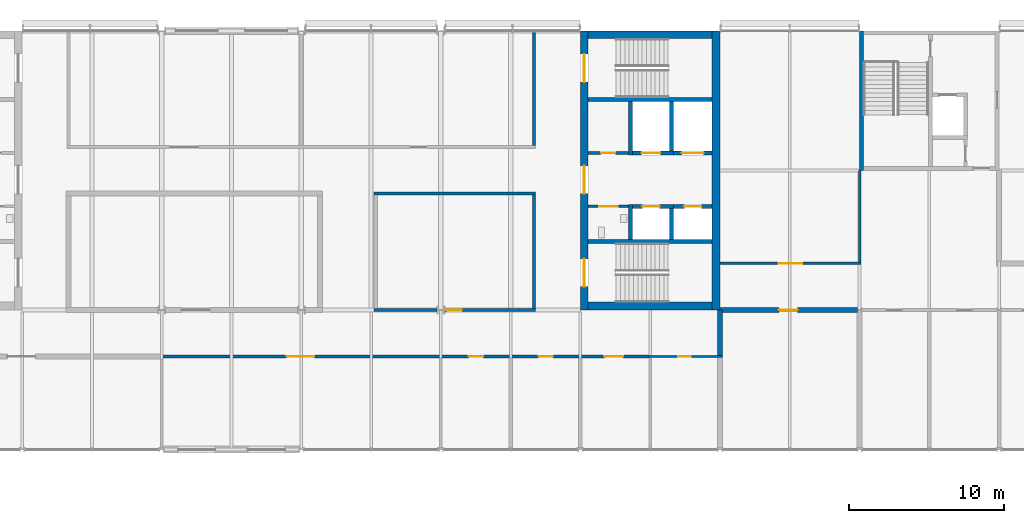
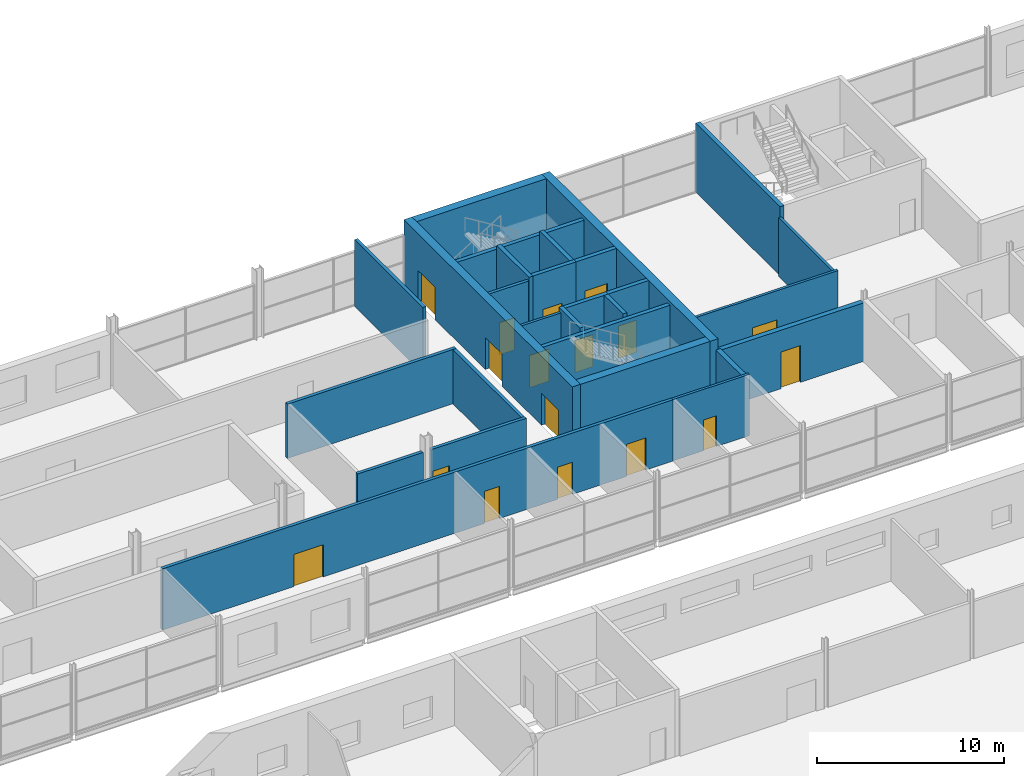
# One storey, part 120 of 138: 28 walls, 17 doors, 17 openings.
"""IFC4 building model written with IfcOpenShell, lengths in metres."""

from ifc_helpers import new_model, si_unit, direction, frame, frame_2d, origin, place, context, subcontext, project, spatial, rectangle, extrude, material, layer, layer_set, type_object, element, fill, save


model = new_model("IFC4")

# Units and contexts
model_context = context("Model", 3, precision=1e-05, world=origin(), true_north=direction((0.0, 1.0)))
body_context = subcontext(model_context, "Body", "Model", "MODEL_VIEW")
ifc_project = project(units=[si_unit("LENGTHUNIT", "METRE"), si_unit("AREAUNIT", "SQUARE_METRE"), si_unit("VOLUMEUNIT", "CUBIC_METRE"), si_unit("PLANEANGLEUNIT", "RADIAN"), si_unit("MASSUNIT", "GRAM", prefix="KILO")], contexts=[model_context])

# Site, building, storey
site_placement = place(None, origin())
site = spatial("IfcSite", under=ifc_project, at=site_placement, CompositionType="ELEMENT")
building_placement = place(site_placement, origin())
building = spatial("IfcBuilding", under=site, at=building_placement, Name="Corbel Yard City Hall", CompositionType="ELEMENT")
storey_placement = place(building_placement, frame((0.0, 0.0, 10.5)))
storey = spatial("IfcBuildingStorey", under=building, at=storey_placement, Name="L02", CompositionType="ELEMENT", Elevation=10.5)

# Walls
ifc_material_1 = material(Name="Concrete N50 (50 MPa)", Category="concrete")
ifc_layer_1 = layer(ifc_material_1, 0.25)
ifc_layer_set_1 = layer_set([ifc_layer_1], Name="Concrete N50 (50 MPa)")
wall_type_1 = type_object("IfcWallType", Name="Core cell wall 250", PredefinedType="SHEAR", material=ifc_layer_set_1)
wall_1_placement = place(storey_placement, frame((63.125, 108.0, 0.0), z_axis=(0.0, 0.0, 1.0), x_axis=(0.0, 1.0, 0.0)))
element("IfcWall", 1, at=wall_1_placement, inside=storey, type_object=wall_type_1, Name="Core PC-N1 west wall", PredefinedType="SHEAR", context=body_context, shape_type="SweptSolid", body=[
    extrude(rectangle(XDim=9.0, YDim=0.25, at=frame_2d((4.5, 0.0))), origin(), (0.0, 0.0, 1.0), 4.5),
])
ifc_material_2 = material(Name="Concrete N40 (40 MPa)", Category="concrete")
ifc_layer_2 = layer(ifc_material_2, 0.25)
ifc_layer_set_2 = layer_set([ifc_layer_2], Name="Concrete N40 (40 MPa)")
wall_type_2 = type_object("IfcWallType", Name="IW2", PredefinedType="SOLIDWALL", material=ifc_layer_set_2)
for number, where, z_axis, x_axis, name in (
    (2, (45.5, 103.425048828125, 0.0), (0.0, 0.0, 1.0), (1.0, 0.0, 0.0), "Stair enclosure wall"),
    (3, (45.5, 112.574951171875, 0.0), (0.0, 0.0, 1.0), (1.0, 0.0, 0.0), "Stair enclosure wall"),
):
    element("IfcWall", number, at=place(storey_placement, frame(where, z_axis=z_axis, x_axis=x_axis)), inside=storey, type_object=wall_type_2, Name=name, PredefinedType="SOLIDWALL", context=body_context, shape_type="SweptSolid", body=[
        extrude(rectangle(XDim=8.0, YDim=0.25, at=frame_2d((4.0, 0.0))), origin(), (0.0, 0.0, 1.0), 4.25),
    ])
wall_2_placement = place(storey_placement, frame((48.22509765625, 103.550048828125, 0.0), z_axis=(0.0, 0.0, 1.0), x_axis=(0.0, 1.0, 0.0)))
element("IfcWall", 4, at=wall_2_placement, inside=storey, type_object=wall_type_2, Name="Lift LP25 shaft wall", PredefinedType="SOLIDWALL", context=body_context, shape_type="SweptSolid", body=[
    extrude(rectangle(XDim=2.25, YDim=0.25, at=frame_2d((1.125, 0.0))), origin(), (0.0, 0.0, 1.0), 4.5),
])
wall_3_placement = place(storey_placement, frame((50.875, 103.550048828125, 0.0), z_axis=(0.0, 0.0, 1.0), x_axis=(0.0, 1.0, 0.0)))
element("IfcWall", 5, at=wall_3_placement, inside=storey, type_object=wall_type_2, Name="Lift LP25 shaft wall", PredefinedType="SOLIDWALL", context=body_context, shape_type="SweptSolid", body=[
    extrude(rectangle(XDim=2.0, YDim=0.25, at=frame_2d((1.0, 0.0))), origin(), (0.0, 0.0, 1.0), 4.5),
])

# Wall, opening, door
wall_4_placement = place(storey_placement, frame((48.35009765625, 105.675048828125, 0.0), z_axis=(0.0, 0.0, 1.0), x_axis=(1.0, 0.0, 0.0)))
wall_4 = element("IfcWall", 6, at=wall_4_placement, inside=storey, type_object=wall_type_2, Name="Lift LP25 shaft wall", PredefinedType="SOLIDWALL", context=body_context, shape_type="SweptSolid", body=[
    extrude(rectangle(XDim=2.64990234375, YDim=0.25, at=frame_2d((1.324951171875, 0.0))), origin(), (0.0, 0.0, 1.0), 4.5),
])
opening_1_placement = place(wall_4_placement, frame((0.64990234375, 0.0, 0.0)))
opening_1 = element("IfcOpeningElement", 7, at=opening_1_placement, cuts=wall_4, Name="Opening L02-186", PredefinedType="OPENING", context=body_context, shape_type="SweptSolid", body=[
    extrude(rectangle(XDim=1.10009765625, YDim=2.10009765625, at=frame_2d((0.550048828125, 1.050048828125))), frame((0.0, 0.135009765625, 0.0), z_axis=(0.0, -1.0, 0.0), x_axis=(1.0, 0.0, 0.0)), (0.0, 0.0, 1.0), 0.27001953125),
])
ifc_material_3 = material(Name="Stainless steel Grade 316", Category="steel")
door_type_1 = type_object("IfcDoorType", Name="LD1", OperationType="DOUBLE_DOOR_SLIDING", PredefinedType="DOOR", material=ifc_material_3)
door_1_placement = place(opening_1_placement, origin())
door_1 = element("IfcDoor", 8, at=door_1_placement, inside=storey, type_object=door_type_1, Name="Lift LP25 landing door", OperationType="DOUBLE_DOOR_SLIDING", OverallHeight=2.10009765625, OverallWidth=1.10009765625, PredefinedType="DOOR", context=body_context, shape_type="SweptSolid", body=[
    extrude(rectangle(XDim=1.10009765625, YDim=2.10009765625, at=frame_2d((0.550048828125, 1.050048828125))), frame((0.0, 0.02490234375, 0.0), z_axis=(0.0, -1.0, 0.0), x_axis=(1.0, 0.0, 0.0)), (0.0, 0.0, 1.0), 0.050048828125),
])
fill(opening_1, door_1)

wall_5_placement = place(storey_placement, frame((51.0, 105.675048828125, 0.0), z_axis=(0.0, 0.0, 1.0), x_axis=(1.0, 0.0, 0.0)))
wall_5 = element("IfcWall", 9, at=wall_5_placement, inside=storey, type_object=wall_type_2, Name="Lift LP26 shaft wall", PredefinedType="SOLIDWALL", context=body_context, shape_type="SweptSolid", body=[
    extrude(rectangle(XDim=2.5, YDim=0.25, at=frame_2d((1.25, 0.0))), origin(), (0.0, 0.0, 1.0), 4.5),
])
opening_2_placement = place(wall_5_placement, frame((0.699951171875, 0.0, 0.0)))
opening_2 = element("IfcOpeningElement", 10, at=opening_2_placement, cuts=wall_5, Name="Opening L02-187", PredefinedType="OPENING", context=body_context, shape_type="SweptSolid", body=[
    extrude(rectangle(XDim=1.10009765625, YDim=2.10009765625, at=frame_2d((0.550048828125, 1.050048828125))), frame((0.0, 0.135009765625, 0.0), z_axis=(0.0, -1.0, 0.0), x_axis=(1.0, 0.0, 0.0)), (0.0, 0.0, 1.0), 0.27001953125),
])
door_2_placement = place(opening_2_placement, origin())
door_2 = element("IfcDoor", 11, at=door_2_placement, inside=storey, type_object=door_type_1, Name="Lift LP26 landing door", OperationType="DOUBLE_DOOR_SLIDING", OverallHeight=2.10009765625, OverallWidth=1.10009765625, PredefinedType="DOOR", context=body_context, shape_type="SweptSolid", body=[
    extrude(rectangle(XDim=1.10009765625, YDim=2.10009765625, at=frame_2d((0.550048828125, 1.050048828125))), frame((0.0, 0.02490234375, 0.0), z_axis=(0.0, -1.0, 0.0), x_axis=(1.0, 0.0, 0.0)), (0.0, 0.0, 1.0), 0.050048828125),
])
fill(opening_2, door_2)

# Walls
wall_6_placement = place(storey_placement, frame((48.22509765625, 109.0, 0.0), z_axis=(0.0, 0.0, 1.0), x_axis=(0.0, 1.0, 0.0)))
element("IfcWall", 12, at=wall_6_placement, inside=storey, type_object=wall_type_2, Name="Lift LF2 shaft wall", PredefinedType="SOLIDWALL", context=body_context, shape_type="SweptSolid", body=[
    extrude(rectangle(XDim=3.449951171875, YDim=0.25, at=frame_2d((1.72509765625, 0.0))), origin(), (0.0, 0.0, 1.0), 4.5),
])
wall_7_placement = place(storey_placement, frame((50.875, 109.25, 0.0), z_axis=(0.0, 0.0, 1.0), x_axis=(0.0, 1.0, 0.0)))
element("IfcWall", 13, at=wall_7_placement, inside=storey, type_object=wall_type_2, Name="Lift LF2 shaft wall", PredefinedType="SOLIDWALL", context=body_context, shape_type="SweptSolid", body=[
    extrude(rectangle(XDim=3.199951171875, YDim=0.25, at=frame_2d((1.60009765625, 0.0))), origin(), (0.0, 0.0, 1.0), 4.5),
])

# Wall, opening, door
wall_8_placement = place(storey_placement, frame((48.35009765625, 109.125, 0.0), z_axis=(0.0, 0.0, 1.0), x_axis=(1.0, 0.0, 0.0)))
wall_8 = element("IfcWall", 14, at=wall_8_placement, inside=storey, type_object=wall_type_2, Name="Lift LF2 shaft wall", PredefinedType="SOLIDWALL", context=body_context, shape_type="SweptSolid", body=[
    extrude(rectangle(XDim=2.64990234375, YDim=0.25, at=frame_2d((1.324951171875, 0.0))), origin(), (0.0, 0.0, 1.0), 4.5),
])
opening_3_placement = place(wall_8_placement, frame((0.60009765625, 0.0, 0.0)))
opening_3 = element("IfcOpeningElement", 15, at=opening_3_placement, cuts=wall_8, Name="Opening L02-188", PredefinedType="OPENING", context=body_context, shape_type="SweptSolid", body=[
    extrude(rectangle(XDim=1.199951171875, YDim=2.10009765625, at=frame_2d((0.60009765625, 1.050048828125))), frame((0.0, 0.135009765625, 0.0), z_axis=(0.0, -1.0, 0.0), x_axis=(1.0, 0.0, 0.0)), (0.0, 0.0, 1.0), 0.27001953125),
])
door_type_2 = type_object("IfcDoorType", Name="LD2", OperationType="DOUBLE_DOOR_SLIDING", PredefinedType="DOOR", material=ifc_material_3)
door_3_placement = place(opening_3_placement, origin())
door_3 = element("IfcDoor", 16, at=door_3_placement, inside=storey, type_object=door_type_2, Name="Lift LF2 landing door", OperationType="DOUBLE_DOOR_SLIDING", OverallHeight=2.10009765625, OverallWidth=1.199951171875, PredefinedType="DOOR", context=body_context, shape_type="SweptSolid", body=[
    extrude(rectangle(XDim=1.199951171875, YDim=2.10009765625, at=frame_2d((0.60009765625, 1.050048828125))), frame((0.0, 0.02490234375, 0.0), z_axis=(0.0, -1.0, 0.0), x_axis=(1.0, 0.0, 0.0)), (0.0, 0.0, 1.0), 0.050048828125),
])
fill(opening_3, door_3)

wall_9_placement = place(storey_placement, frame((51.0, 109.125, 0.0), z_axis=(0.0, 0.0, 1.0), x_axis=(1.0, 0.0, 0.0)))
wall_9 = element("IfcWall", 17, at=wall_9_placement, inside=storey, type_object=wall_type_2, Name="Lift LG1 shaft wall", PredefinedType="SOLIDWALL", context=body_context, shape_type="SweptSolid", body=[
    extrude(rectangle(XDim=2.5, YDim=0.25, at=frame_2d((1.25, 0.0))), origin(), (0.0, 0.0, 1.0), 4.5),
])
opening_4_placement = place(wall_9_placement, frame((0.550048828125, 0.0, 0.0)))
opening_4 = element("IfcOpeningElement", 18, at=opening_4_placement, cuts=wall_9, Name="Opening L02-189", PredefinedType="OPENING", context=body_context, shape_type="SweptSolid", body=[
    extrude(rectangle(XDim=1.39990234375, YDim=2.39990234375, at=frame_2d((0.699951171875, 1.199951171875))), frame((0.0, 0.135009765625, 0.0), z_axis=(0.0, -1.0, 0.0), x_axis=(1.0, 0.0, 0.0)), (0.0, 0.0, 1.0), 0.27001953125),
])
door_type_3 = type_object("IfcDoorType", Name="LD3", OperationType="DOUBLE_DOOR_SLIDING", PredefinedType="DOOR", material=ifc_material_3)
door_4_placement = place(opening_4_placement, origin())
door_4 = element("IfcDoor", 19, at=door_4_placement, inside=storey, type_object=door_type_3, Name="Lift LG1 landing door", OperationType="DOUBLE_DOOR_SLIDING", OverallHeight=2.39990234375, OverallWidth=1.39990234375, PredefinedType="DOOR", context=body_context, shape_type="SweptSolid", body=[
    extrude(rectangle(XDim=1.39990234375, YDim=2.39990234375, at=frame_2d((0.699951171875, 1.199951171875))), frame((0.0, 0.02490234375, 0.0), z_axis=(0.0, -1.0, 0.0), x_axis=(1.0, 0.0, 0.0)), (0.0, 0.0, 1.0), 0.050048828125),
])
fill(opening_4, door_4)

# Wall, openings, doors
ifc_material_4 = material(Name="Gypsum plasterboard", Category="gypsum")
ifc_layer_3 = layer(ifc_material_4, 0.031982421875)
ifc_material_5 = material(Name="Steel Grade G550 (550 MPa yield)", Category="steel")
ifc_layer_4 = layer(ifc_material_5, 0.135986328125)
ifc_layer_5 = layer(ifc_material_4, 0.031982421875)
ifc_layer_set_3 = layer_set([ifc_layer_3, ifc_layer_4, ifc_layer_5], Name="Steel Grade G550 (550 MPa yield)")
wall_type_3 = type_object("IfcWallType", Name="PT2", PredefinedType="PARTITIONING", material=ifc_layer_set_3)
wall_10_placement = place(storey_placement, frame((17.925048828125, 96.0, 0.0), z_axis=(0.0, 0.0, 1.0), x_axis=(1.0, 0.0, 0.0)))
wall_10 = element("IfcWall", 20, at=wall_10_placement, inside=storey, type_object=wall_type_3, Name="Acoustic wall", PredefinedType="PARTITIONING", context=body_context, shape_type="SweptSolid", body=[
    extrude(rectangle(XDim=31.494873046875, YDim=0.199951171875, at=frame_2d((15.74755859375, 0.0))), origin(), (0.0, 0.0, 1.0), 3.998046875),
])
opening_5_placement = place(wall_10_placement, frame((8.125, 0.0, 0.0)))
opening_5 = element("IfcOpeningElement", 21, at=opening_5_placement, cuts=wall_10, Name="Opening L02-152", PredefinedType="OPENING", context=body_context, shape_type="SweptSolid", body=[
    extrude(rectangle(XDim=1.800048828125, YDim=2.10009765625, at=frame_2d((0.89990234375, 1.050048828125))), frame((0.0, 0.10986328125, 0.0), z_axis=(0.0, -1.0, 0.0), x_axis=(1.0, 0.0, 0.0)), (0.0, 0.0, 1.0), 0.219970703125),
])
opening_6_placement = place(wall_10_placement, frame((19.875, 0.0, 0.0)))
opening_6 = element("IfcOpeningElement", 22, at=opening_6_placement, cuts=wall_10, Name="Opening L02-153", PredefinedType="OPENING", context=body_context, shape_type="SweptSolid", body=[
    extrude(rectangle(XDim=0.919921875, YDim=2.10009765625, at=frame_2d((0.4599609375, 1.050048828125))), frame((0.0, 0.10986328125, 0.0), z_axis=(0.0, -1.0, 0.0), x_axis=(1.0, 0.0, 0.0)), (0.0, 0.0, 1.0), 0.219970703125),
])
opening_7_placement = place(wall_10_placement, frame((24.375, 0.0, 0.0)))
opening_7 = element("IfcOpeningElement", 23, at=opening_7_placement, cuts=wall_10, Name="Opening L02-154", PredefinedType="OPENING", context=body_context, shape_type="SweptSolid", body=[
    extrude(rectangle(XDim=0.919921875, YDim=2.10009765625, at=frame_2d((0.4599609375, 1.050048828125))), frame((0.0, 0.10986328125, 0.0), z_axis=(0.0, -1.0, 0.0), x_axis=(1.0, 0.0, 0.0)), (0.0, 0.0, 1.0), 0.219970703125),
])
opening_8_placement = place(wall_10_placement, frame((28.625, 0.0, 0.0)))
opening_8 = element("IfcOpeningElement", 24, at=opening_8_placement, cuts=wall_10, Name="Opening L02-155", PredefinedType="OPENING", context=body_context, shape_type="SweptSolid", body=[
    extrude(rectangle(XDim=1.199951171875, YDim=2.10009765625, at=frame_2d((0.60009765625, 1.050048828125))), frame((0.0, 0.10986328125, 0.0), z_axis=(0.0, -1.0, 0.0), x_axis=(1.0, 0.0, 0.0)), (0.0, 0.0, 1.0), 0.219970703125),
])
ifc_material_6 = material(Name="Timber", Category="wood")
door_type_4 = type_object("IfcDoorType", Name="D3", OperationType="DOUBLE_DOOR_SINGLE_SWING", PredefinedType="DOOR", material=ifc_material_6)
door_5_placement = place(opening_5_placement, origin())
door_5 = element("IfcDoor", 25, at=door_5_placement, inside=storey, type_object=door_type_4, Name="Door Staff Meeting Suite", OperationType="DOUBLE_DOOR_SINGLE_SWING", OverallHeight=2.10009765625, OverallWidth=1.800048828125, PredefinedType="DOOR", context=body_context, shape_type="SweptSolid", body=[
    extrude(rectangle(XDim=1.800048828125, YDim=2.10009765625, at=frame_2d((0.89990234375, 1.050048828125))), frame((0.0, 0.02490234375, 0.0), z_axis=(0.0, -1.0, 0.0), x_axis=(1.0, 0.0, 0.0)), (0.0, 0.0, 1.0), 0.050048828125),
])
fill(opening_5, door_5)
door_type_5 = type_object("IfcDoorType", Name="D5", OperationType="SINGLE_SWING_RIGHT", PredefinedType="DOOR", material=ifc_material_6)
door_6_placement = place(opening_6_placement, frame((0.919921875, 0.0, 0.0), z_axis=(0.0, 0.0, 1.0), x_axis=(-1.0, 0.0, 0.0)))
door_6 = element("IfcDoor", 26, at=door_6_placement, inside=storey, type_object=door_type_5, Name="Door Women's WC", OperationType="SINGLE_SWING_LEFT", OverallHeight=2.10009765625, OverallWidth=0.919921875, PredefinedType="DOOR", context=body_context, shape_type="SweptSolid", body=[
    extrude(rectangle(XDim=0.919921875, YDim=2.10009765625, at=frame_2d((0.4599609375, 1.050048828125))), frame((0.0, 0.02490234375, 0.0), z_axis=(0.0, -1.0, 0.0), x_axis=(1.0, 0.0, 0.0)), (0.0, 0.0, 1.0), 0.050048828125),
])
fill(opening_6, door_6)
door_7_placement = place(opening_7_placement, frame((0.919921875, 0.0, 0.0), z_axis=(0.0, 0.0, 1.0), x_axis=(-1.0, 0.0, 0.0)))
door_7 = element("IfcDoor", 27, at=door_7_placement, inside=storey, type_object=door_type_5, Name="Door Men's WC", OperationType="SINGLE_SWING_RIGHT", OverallHeight=2.10009765625, OverallWidth=0.919921875, PredefinedType="DOOR", context=body_context, shape_type="SweptSolid", body=[
    extrude(rectangle(XDim=0.919921875, YDim=2.10009765625, at=frame_2d((0.4599609375, 1.050048828125))), frame((0.0, 0.02490234375, 0.0), z_axis=(0.0, -1.0, 0.0), x_axis=(1.0, 0.0, 0.0)), (0.0, 0.0, 1.0), 0.050048828125),
])
fill(opening_7, door_7)
door_type_6 = type_object("IfcDoorType", Name="D7", OperationType="SINGLE_SWING_LEFT", PredefinedType="DOOR", material=ifc_material_6)
door_8_placement = place(opening_8_placement, frame((1.199951171875, 0.0, 0.0), z_axis=(0.0, 0.0, 1.0), x_axis=(-1.0, 0.0, 0.0)))
door_8 = element("IfcDoor", 28, at=door_8_placement, inside=storey, type_object=door_type_6, Name="Door Accessible WC", OperationType="SINGLE_SWING_RIGHT", OverallHeight=2.10009765625, OverallWidth=1.199951171875, PredefinedType="DOOR", context=body_context, shape_type="SweptSolid", body=[
    extrude(rectangle(XDim=1.199951171875, YDim=2.10009765625, at=frame_2d((0.60009765625, 1.050048828125))), frame((0.0, 0.02490234375, 0.0), z_axis=(0.0, -1.0, 0.0), x_axis=(1.0, 0.0, 0.0)), (0.0, 0.0, 1.0), 0.050048828125),
])
fill(opening_8, door_8)

# Wall
wall_11_placement = place(storey_placement, frame((31.699951171875, 99.0, 0.0), z_axis=(0.0, 0.0, 1.0), x_axis=(1.0, 0.0, 0.0)))
element("IfcWall", 29, at=wall_11_placement, inside=storey, type_object=wall_type_3, Name="Acoustic wall", PredefinedType="PARTITIONING", context=body_context, shape_type="SweptSolid", body=[
    extrude(rectangle(XDim=4.050048828125, YDim=0.199951171875, at=frame_2d((2.02490234375, 0.0))), origin(), (0.0, 0.0, 1.0), 3.5400390625),
])

# Wall, opening, door
wall_12_placement = place(storey_placement, frame((36.25, 99.0, 0.0), z_axis=(0.0, 0.0, 1.0), x_axis=(1.0, 0.0, 0.0)))
wall_12 = element("IfcWall", 30, at=wall_12_placement, inside=storey, type_object=wall_type_3, Name="Acoustic wall", PredefinedType="PARTITIONING", context=body_context, shape_type="SweptSolid", body=[
    extrude(rectangle(XDim=5.85009765625, YDim=0.199951171875, at=frame_2d((2.925048828125, 0.0))), origin(), (0.0, 0.0, 1.0), 3.5400390625),
])
opening_9_placement = place(wall_12_placement, frame((0.10009765625, 0.0, 0.0)))
opening_9 = element("IfcOpeningElement", 31, at=opening_9_placement, cuts=wall_12, Name="Opening L02-158", PredefinedType="OPENING", context=body_context, shape_type="SweptSolid", body=[
    extrude(rectangle(XDim=1.0, YDim=2.10009765625, at=frame_2d((0.5, 1.050048828125))), frame((0.0, 0.10986328125, 0.0), z_axis=(0.0, -1.0, 0.0), x_axis=(1.0, 0.0, 0.0)), (0.0, 0.0, 1.0), 0.219970703125),
])
door_type_7 = type_object("IfcDoorType", Name="D1", OperationType="SINGLE_SWING_LEFT", PredefinedType="DOOR", material=ifc_material_6)
door_9_placement = place(opening_9_placement, origin())
door_9 = element("IfcDoor", 32, at=door_9_placement, inside=storey, type_object=door_type_7, Name="Door Tower Training Room 4", OperationType="SINGLE_SWING_LEFT", OverallHeight=2.10009765625, OverallWidth=1.0, PredefinedType="DOOR", context=body_context, shape_type="SweptSolid", body=[
    extrude(rectangle(XDim=1.0, YDim=2.10009765625, at=frame_2d((0.5, 1.050048828125))), frame((0.0, 0.02490234375, 0.0), z_axis=(0.0, -1.0, 0.0), x_axis=(1.0, 0.0, 0.0)), (0.0, 0.0, 1.0), 0.050048828125),
])
fill(opening_9, door_9)

# Walls
wall_13_placement = place(storey_placement, frame((31.699951171875, 106.5, 0.0), z_axis=(0.0, 0.0, 1.0), x_axis=(1.0, 0.0, 0.0)))
element("IfcWall", 33, at=wall_13_placement, inside=storey, type_object=wall_type_3, Name="Acoustic wall", PredefinedType="PARTITIONING", context=body_context, shape_type="SweptSolid", body=[
    extrude(rectangle(XDim=10.400146484375, YDim=0.199951171875, at=frame_2d((5.2001953125, 0.0))), origin(), (0.0, 0.0, 1.0), 3.550048828125),
])
wall_14_placement = place(storey_placement, frame((42.0, 99.10009765625, 0.0), z_axis=(0.0, 0.0, 1.0), x_axis=(0.0, 1.0, 0.0)))
element("IfcWall", 34, at=wall_14_placement, inside=storey, type_object=wall_type_3, Name="Acoustic wall", PredefinedType="PARTITIONING", context=body_context, shape_type="SweptSolid", body=[
    extrude(rectangle(XDim=7.2998046875, YDim=0.199951171875, at=frame_2d((3.64990234375, 0.0))), origin(), (0.0, 0.0, 1.0), 3.5400390625),
])
wall_15_placement = place(storey_placement, frame((42.0, 109.60009765625, 0.0), z_axis=(0.0, 0.0, 1.0), x_axis=(0.0, 1.0, 0.0)))
element("IfcWall", 35, at=wall_15_placement, inside=storey, type_object=wall_type_3, Name="Acoustic wall", PredefinedType="PARTITIONING", context=body_context, shape_type="SweptSolid", body=[
    extrude(rectangle(XDim=7.2998046875, YDim=0.199951171875, at=frame_2d((3.64990234375, 0.0))), origin(), (0.0, 0.0, 1.0), 4.35009765625),
])

# Wall, opening, door
ifc_material_7 = material(Name="Concrete block", Category="concrete")
ifc_layer_6 = layer(ifc_material_7, 0.300048828125)
ifc_layer_set_4 = layer_set([ifc_layer_6], Name="Concrete block")
wall_type_4 = type_object("IfcWallType", Name="PT24", PredefinedType="PARTITIONING", material=ifc_layer_set_4)
wall_16_placement = place(storey_placement, frame((54.0, 99.0, 0.0), z_axis=(0.0, 0.0, 1.0), x_axis=(1.0, 0.0, 0.0)))
wall_16 = element("IfcWall", 36, at=wall_16_placement, inside=storey, type_object=wall_type_4, Name="Rated plant wall", PredefinedType="PARTITIONING", context=body_context, shape_type="SweptSolid", body=[
    extrude(rectangle(XDim=8.8701171875, YDim=0.300048828125, at=frame_2d((4.43505859375, 0.0))), origin(), (0.0, 0.0, 1.0), 3.822021484375),
])
opening_10_placement = place(wall_16_placement, frame((3.800048828125, 0.0, 0.0)))
opening_10 = element("IfcOpeningElement", 37, at=opening_10_placement, cuts=wall_16, Name="Opening L02-161", PredefinedType="OPENING", context=body_context, shape_type="SweptSolid", body=[
    extrude(rectangle(XDim=1.199951171875, YDim=2.39990234375, at=frame_2d((0.60009765625, 1.199951171875))), frame((0.0, 0.159912109375, 0.0), z_axis=(0.0, -1.0, 0.0), x_axis=(1.0, 0.0, 0.0)), (0.0, 0.0, 1.0), 0.320068359375),
])
ifc_material_8 = material(Name="Steel Grade G250", Category="steel")
door_type_8 = type_object("IfcDoorType", Name="FS32", OperationType="SINGLE_SWING_LEFT", PredefinedType="DOOR", material=ifc_material_8)
door_10_placement = place(opening_10_placement, frame((1.199951171875, 0.0, 0.0), z_axis=(0.0, 0.0, 1.0), x_axis=(-1.0, 0.0, 0.0)))
door_10 = element("IfcDoor", 38, at=door_10_placement, inside=storey, type_object=door_type_8, Name="Door Plant Room 2", OperationType="SINGLE_SWING_RIGHT", OverallHeight=2.39990234375, OverallWidth=1.199951171875, PredefinedType="DOOR", context=body_context, shape_type="SweptSolid", body=[
    extrude(rectangle(XDim=1.199951171875, YDim=2.39990234375, at=frame_2d((0.60009765625, 1.199951171875))), frame((0.0, 0.02490234375, 0.0), z_axis=(0.0, -1.0, 0.0), x_axis=(1.0, 0.0, 0.0)), (0.0, 0.0, 1.0), 0.050048828125),
])
fill(opening_10, door_10)

# Wall
wall_17_placement = place(storey_placement, frame((54.0, 96.080078125, 0.0), z_axis=(0.0, 0.0, 1.0), x_axis=(0.0, 1.0, 0.0)))
element("IfcWall", 39, at=wall_17_placement, inside=storey, type_object=wall_type_4, Name="Rated plant wall", PredefinedType="PARTITIONING", context=body_context, shape_type="SweptSolid", body=[
    extrude(rectangle(XDim=2.919921875, YDim=0.300048828125, at=frame_2d((1.4599609375, 0.0))), origin(), (0.0, 0.0, 1.0), 3.822021484375),
])

# Wall, opening, door
ifc_layer_7 = layer(ifc_material_4, 0.031982421875)
ifc_layer_8 = layer(ifc_material_5, 0.095947265625)
ifc_layer_9 = layer(ifc_material_4, 0.031982421875)
ifc_layer_set_5 = layer_set([ifc_layer_7, ifc_layer_8, ifc_layer_9], Name="Steel Grade G550 (550 MPa yield)")
wall_type_5 = type_object("IfcWallType", Name="PT3", PredefinedType="PARTITIONING", material=ifc_layer_set_5)
wall_18_placement = place(storey_placement, frame((49.419921875, 96.0, 0.0), z_axis=(0.0, 0.0, 1.0), x_axis=(1.0, 0.0, 0.0)))
wall_18 = element("IfcWall", 40, at=wall_18_placement, inside=storey, type_object=wall_type_5, Name="Fire-resisting wall", PredefinedType="PARTITIONING", context=body_context, shape_type="SweptSolid", body=[
    extrude(rectangle(XDim=4.72998046875, YDim=0.159912109375, at=frame_2d((2.364990234375, 0.0))), origin(), (0.0, 0.0, 1.0), 3.998046875),
])
opening_11_placement = place(wall_18_placement, frame((1.8798828125, 0.0, 0.0)))
opening_11 = element("IfcOpeningElement", 41, at=opening_11_placement, cuts=wall_18, Name="Opening L02-156", PredefinedType="OPENING", context=body_context, shape_type="SweptSolid", body=[
    extrude(rectangle(XDim=0.800048828125, YDim=2.0, at=frame_2d((0.39990234375, 1.0))), frame((0.0, 0.08984375, 0.0), z_axis=(0.0, -1.0, 0.0), x_axis=(1.0, 0.0, 0.0)), (0.0, 0.0, 1.0), 0.179931640625),
])
door_type_9 = type_object("IfcDoorType", Name="FD31", OperationType="SINGLE_SWING_LEFT", PredefinedType="DOOR", material=ifc_material_8)
door_11_placement = place(opening_11_placement, frame((0.800048828125, 0.0, 0.0), z_axis=(0.0, 0.0, 1.0), x_axis=(-1.0, 0.0, 0.0)))
door_11 = element("IfcDoor", 42, at=door_11_placement, inside=storey, type_object=door_type_9, Name="Door Cleaners' Store", OperationType="SINGLE_SWING_RIGHT", OverallHeight=2.0, OverallWidth=0.800048828125, PredefinedType="DOOR", context=body_context, shape_type="SweptSolid", body=[
    extrude(rectangle(XDim=0.800048828125, YDim=2.0, at=frame_2d((0.39990234375, 1.0))), frame((0.0, 0.02490234375, 0.0), z_axis=(0.0, -1.0, 0.0), x_axis=(1.0, 0.0, 0.0)), (0.0, 0.0, 1.0), 0.050048828125),
])
fill(opening_11, door_11)

wall_19_placement = place(storey_placement, frame((54.0, 102.0, 0.0), z_axis=(0.0, 0.0, 1.0), x_axis=(1.0, 0.0, 0.0)))
wall_19 = element("IfcWall", 43, at=wall_19_placement, inside=storey, type_object=wall_type_5, Name="Fire-resisting wall", PredefinedType="PARTITIONING", context=body_context, shape_type="SweptSolid", body=[
    extrude(rectangle(XDim=9.080078125, YDim=0.159912109375, at=frame_2d((4.5400390625, 0.0))), origin(), (0.0, 0.0, 1.0), 3.998046875),
])
opening_12_placement = place(wall_19_placement, frame((3.800048828125, 0.0, 0.0)))
opening_12 = element("IfcOpeningElement", 44, at=opening_12_placement, cuts=wall_19, Name="Opening L02-172", PredefinedType="OPENING", context=body_context, shape_type="SweptSolid", body=[
    extrude(rectangle(XDim=1.5, YDim=2.10009765625, at=frame_2d((0.75, 1.050048828125))), frame((0.0, 0.08984375, 0.0), z_axis=(0.0, -1.0, 0.0), x_axis=(1.0, 0.0, 0.0)), (0.0, 0.0, 1.0), 0.179931640625),
])
door_type_10 = type_object("IfcDoorType", Name="FD34", OperationType="DOUBLE_DOOR_SINGLE_SWING", PredefinedType="DOOR", material=ifc_material_8)
door_12_placement = place(opening_12_placement, origin())
door_12 = element("IfcDoor", 45, at=door_12_placement, inside=storey, type_object=door_type_10, Name="Door Civic Archive", OperationType="DOUBLE_DOOR_SINGLE_SWING", OverallHeight=2.10009765625, OverallWidth=1.5, PredefinedType="DOOR", context=body_context, shape_type="SweptSolid", body=[
    extrude(rectangle(XDim=1.5, YDim=2.10009765625, at=frame_2d((0.75, 1.050048828125))), frame((0.0, 0.02490234375, 0.0), z_axis=(0.0, -1.0, 0.0), x_axis=(1.0, 0.0, 0.0)), (0.0, 0.0, 1.0), 0.050048828125),
])
fill(opening_12, door_12)

# Wall
wall_20_placement = place(storey_placement, frame((63.0, 102.080078125, 0.0), z_axis=(0.0, 0.0, 1.0), x_axis=(0.0, 1.0, 0.0)))
element("IfcWall", 46, at=wall_20_placement, inside=storey, type_object=wall_type_5, Name="Fire-resisting wall", PredefinedType="PARTITIONING", context=body_context, shape_type="SweptSolid", body=[
    extrude(rectangle(XDim=5.919921875, YDim=0.159912109375, at=frame_2d((2.9599609375, 0.0))), origin(), (0.0, 0.0, 1.0), 3.822021484375),
])

# Wall, opening, door
wall_21_placement = place(storey_placement, frame((45.5, 105.675048828125, 0.0), z_axis=(0.0, 0.0, 1.0), x_axis=(1.0, 0.0, 0.0)))
wall_21 = element("IfcWall", 47, at=wall_21_placement, inside=storey, type_object=wall_type_5, Name="Accessible WC wall", PredefinedType="PARTITIONING", context=body_context, shape_type="SweptSolid", body=[
    extrude(rectangle(XDim=2.60009765625, YDim=0.159912109375, at=frame_2d((1.300048828125, 0.0))), origin(), (0.0, 0.0, 1.0), 4.25),
])
opening_13_placement = place(wall_21_placement, frame((0.699951171875, 0.0, 0.0)))
opening_13 = element("IfcOpeningElement", 48, at=opening_13_placement, cuts=wall_21, Name="Opening L02-198", PredefinedType="OPENING", context=body_context, shape_type="SweptSolid", body=[
    extrude(rectangle(XDim=1.199951171875, YDim=2.10009765625, at=frame_2d((0.60009765625, 1.050048828125))), frame((0.0, 0.08984375, 0.0), z_axis=(0.0, -1.0, 0.0), x_axis=(1.0, 0.0, 0.0)), (0.0, 0.0, 1.0), 0.179931640625),
])
door_type_11 = type_object("IfcDoorType", Name="FD7", OperationType="SINGLE_SWING_LEFT", PredefinedType="DOOR", material=ifc_material_8)
door_13_placement = place(opening_13_placement, frame((1.199951171875, 0.0, 0.0), z_axis=(0.0, 0.0, 1.0), x_axis=(-1.0, 0.0, 0.0)))
door_13 = element("IfcDoor", 49, at=door_13_placement, inside=storey, type_object=door_type_11, Name="Door accessible WC East", OperationType="SINGLE_SWING_RIGHT", OverallHeight=2.10009765625, OverallWidth=1.199951171875, PredefinedType="DOOR", context=body_context, shape_type="SweptSolid", body=[
    extrude(rectangle(XDim=1.199951171875, YDim=2.10009765625, at=frame_2d((0.60009765625, 1.050048828125))), frame((0.0, 0.02490234375, 0.0), z_axis=(0.0, -1.0, 0.0), x_axis=(1.0, 0.0, 0.0)), (0.0, 0.0, 1.0), 0.050048828125),
])
fill(opening_13, door_13)

ifc_layer_10 = layer(ifc_material_7, 0.18994140625)
ifc_layer_set_6 = layer_set([ifc_layer_10], Name="Concrete block")
wall_type_6 = type_object("IfcWallType", Name="PT4", PredefinedType="PARTITIONING", material=ifc_layer_set_6)
wall_22_placement = place(storey_placement, frame((45.5, 109.125, 0.0), z_axis=(0.0, 0.0, 1.0), x_axis=(1.0, 0.0, 0.0)))
wall_22 = element("IfcWall", 50, at=wall_22_placement, inside=storey, type_object=wall_type_6, Name="Riser wall", PredefinedType="PARTITIONING", context=body_context, shape_type="SweptSolid", body=[
    extrude(rectangle(XDim=2.60009765625, YDim=0.18994140625, at=frame_2d((1.300048828125, 0.0))), origin(), (0.0, 0.0, 1.0), 4.25),
])
opening_14_placement = place(wall_22_placement, frame((0.840087890625, 0.0, 0.0)))
opening_14 = element("IfcOpeningElement", 51, at=opening_14_placement, cuts=wall_22, Name="Opening L02-199", PredefinedType="OPENING", context=body_context, shape_type="SweptSolid", body=[
    extrude(rectangle(XDim=0.919921875, YDim=2.10009765625, at=frame_2d((0.4599609375, 1.050048828125))), frame((0.0, 0.10498046875, 0.0), z_axis=(0.0, -1.0, 0.0), x_axis=(1.0, 0.0, 0.0)), (0.0, 0.0, 1.0), 0.2099609375),
])
door_type_12 = type_object("IfcDoorType", Name="FS4", OperationType="SINGLE_SWING_LEFT", PredefinedType="DOOR", material=ifc_material_8)
door_14_placement = place(opening_14_placement, origin())
door_14 = element("IfcDoor", 52, at=door_14_placement, inside=storey, type_object=door_type_12, Name="Door riser East", OperationType="SINGLE_SWING_LEFT", OverallHeight=2.10009765625, OverallWidth=0.919921875, PredefinedType="DOOR", context=body_context, shape_type="SweptSolid", body=[
    extrude(rectangle(XDim=0.919921875, YDim=2.10009765625, at=frame_2d((0.4599609375, 1.050048828125))), frame((0.0, 0.02490234375, 0.0), z_axis=(0.0, -1.0, 0.0), x_axis=(1.0, 0.0, 0.0)), (0.0, 0.0, 1.0), 0.050048828125),
])
fill(opening_14, door_14)

# Wall, openings, doors
ifc_layer_11 = layer(ifc_material_1, 0.5)
ifc_layer_set_7 = layer_set([ifc_layer_11], Name="Concrete N50 (50 MPa)")
wall_type_7 = type_object("IfcWallType", Name="Trunk wall 500", PredefinedType="SHEAR", material=ifc_layer_set_7)
wall_23_placement = place(storey_placement, frame((45.25, 99.0, 0.0), z_axis=(0.0, 0.0, 1.0), x_axis=(0.0, 1.0, 0.0)))
wall_23 = element("IfcWall", 53, at=wall_23_placement, inside=storey, type_object=wall_type_7, Name="Trunk E west wall", PredefinedType="SHEAR", context=body_context, shape_type="SweptSolid", body=[
    extrude(rectangle(XDim=18.0, YDim=0.5, at=frame_2d((9.0, 0.0))), origin(), (0.0, 0.0, 1.0), 4.5),
])
opening_15_placement = place(wall_23_placement, frame((1.5, 0.0, 0.0)))
opening_15 = element("IfcOpeningElement", 54, at=opening_15_placement, cuts=wall_23, Name="Opening L02-195", PredefinedType="OPENING", context=body_context, shape_type="SweptSolid", body=[
    extrude(rectangle(XDim=1.800048828125, YDim=2.10009765625, at=frame_2d((0.89990234375, 1.050048828125))), frame((0.0, 0.260009765625, 0.0), z_axis=(0.0, -1.0, 0.0), x_axis=(1.0, 0.0, 0.0)), (0.0, 0.0, 1.0), 0.52001953125),
])
opening_16_placement = place(wall_23_placement, frame((14.699951171875, 0.0, 0.0)))
opening_16 = element("IfcOpeningElement", 55, at=opening_16_placement, cuts=wall_23, Name="Opening L02-196", PredefinedType="OPENING", context=body_context, shape_type="SweptSolid", body=[
    extrude(rectangle(XDim=1.800048828125, YDim=2.10009765625, at=frame_2d((0.89990234375, 1.050048828125))), frame((0.0, 0.260009765625, 0.0), z_axis=(0.0, -1.0, 0.0), x_axis=(1.0, 0.0, 0.0)), (0.0, 0.0, 1.0), 0.52001953125),
])
opening_17_placement = place(wall_23_placement, frame((7.5, 0.0, 0.0)))
opening_17 = element("IfcOpeningElement", 56, at=opening_17_placement, cuts=wall_23, Name="Opening L02-197", PredefinedType="OPENING", context=body_context, shape_type="SweptSolid", body=[
    extrude(rectangle(XDim=1.800048828125, YDim=2.10009765625, at=frame_2d((0.89990234375, 1.050048828125))), frame((0.0, 0.260009765625, 0.0), z_axis=(0.0, -1.0, 0.0), x_axis=(1.0, 0.0, 0.0)), (0.0, 0.0, 1.0), 0.52001953125),
])
door_type_13 = type_object("IfcDoorType", Name="FS3", OperationType="DOUBLE_DOOR_SINGLE_SWING", PredefinedType="DOOR", material=ifc_material_8)
door_15_placement = place(opening_15_placement, origin())
door_15 = element("IfcDoor", 57, at=door_15_placement, inside=storey, type_object=door_type_13, Name="Door ST-E1", OperationType="DOUBLE_DOOR_SINGLE_SWING", OverallHeight=2.10009765625, OverallWidth=1.800048828125, PredefinedType="DOOR", context=body_context, shape_type="SweptSolid", body=[
    extrude(rectangle(XDim=1.800048828125, YDim=2.10009765625, at=frame_2d((0.89990234375, 1.050048828125))), frame((0.0, 0.02490234375, 0.0), z_axis=(0.0, -1.0, 0.0), x_axis=(1.0, 0.0, 0.0)), (0.0, 0.0, 1.0), 0.050048828125),
])
fill(opening_15, door_15)
door_16_placement = place(opening_16_placement, origin())
door_16 = element("IfcDoor", 58, at=door_16_placement, inside=storey, type_object=door_type_13, Name="Door ST-E2", OperationType="DOUBLE_DOOR_SINGLE_SWING", OverallHeight=2.10009765625, OverallWidth=1.800048828125, PredefinedType="DOOR", context=body_context, shape_type="SweptSolid", body=[
    extrude(rectangle(XDim=1.800048828125, YDim=2.10009765625, at=frame_2d((0.89990234375, 1.050048828125))), frame((0.0, 0.02490234375, 0.0), z_axis=(0.0, -1.0, 0.0), x_axis=(1.0, 0.0, 0.0)), (0.0, 0.0, 1.0), 0.050048828125),
])
fill(opening_16, door_16)
door_17_placement = place(opening_17_placement, origin())
door_17 = element("IfcDoor", 59, at=door_17_placement, inside=storey, type_object=door_type_13, Name="Door lift lobby East", OperationType="DOUBLE_DOOR_SINGLE_SWING", OverallHeight=2.10009765625, OverallWidth=1.800048828125, PredefinedType="DOOR", context=body_context, shape_type="SweptSolid", body=[
    extrude(rectangle(XDim=1.800048828125, YDim=2.10009765625, at=frame_2d((0.89990234375, 1.050048828125))), frame((0.0, 0.02490234375, 0.0), z_axis=(0.0, -1.0, 0.0), x_axis=(1.0, 0.0, 0.0)), (0.0, 0.0, 1.0), 0.050048828125),
])
fill(opening_17, door_17)

# Walls
wall_24_placement = place(storey_placement, frame((53.75, 99.0, 0.0), z_axis=(0.0, 0.0, 1.0), x_axis=(0.0, 1.0, 0.0)))
element("IfcWall", 60, at=wall_24_placement, inside=storey, type_object=wall_type_7, Name="Trunk E east wall", PredefinedType="SHEAR", context=body_context, shape_type="SweptSolid", body=[
    extrude(rectangle(XDim=18.0, YDim=0.5, at=frame_2d((9.0, 0.0))), origin(), (0.0, 0.0, 1.0), 4.5),
])
for number, where, z_axis, x_axis, name in (
    (61, (45.5, 99.25, 0.0), (0.0, 0.0, 1.0), (1.0, 0.0, 0.0), "Trunk E south wall"),
    (62, (45.5, 116.75, 0.0), (0.0, 0.0, 1.0), (1.0, 0.0, 0.0), "Trunk E north wall"),
):
    element("IfcWall", number, at=place(storey_placement, frame(where, z_axis=z_axis, x_axis=x_axis)), inside=storey, type_object=wall_type_7, Name=name, PredefinedType="SHEAR", context=body_context, shape_type="SweptSolid", body=[
        extrude(rectangle(XDim=8.0, YDim=0.5, at=frame_2d((4.0, 0.0))), origin(), (0.0, 0.0, 1.0), 4.5),
    ])

save(model, "model.ifc")
